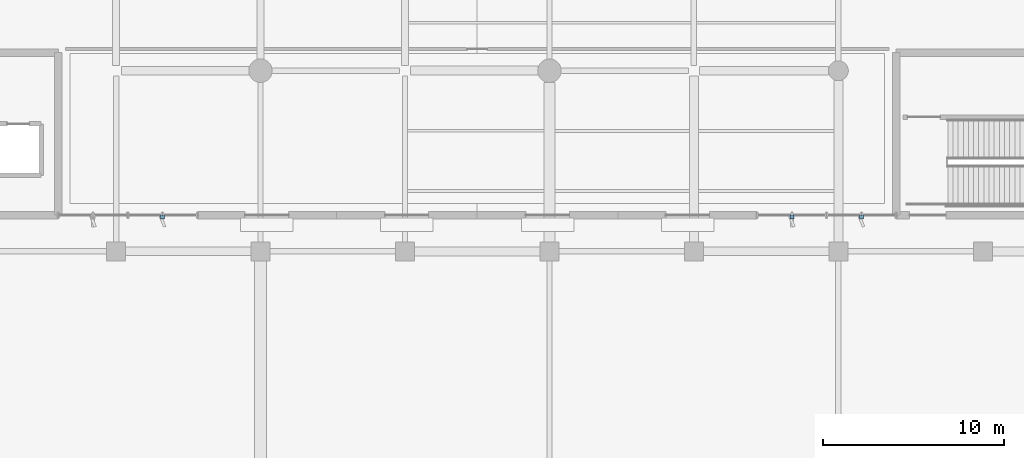
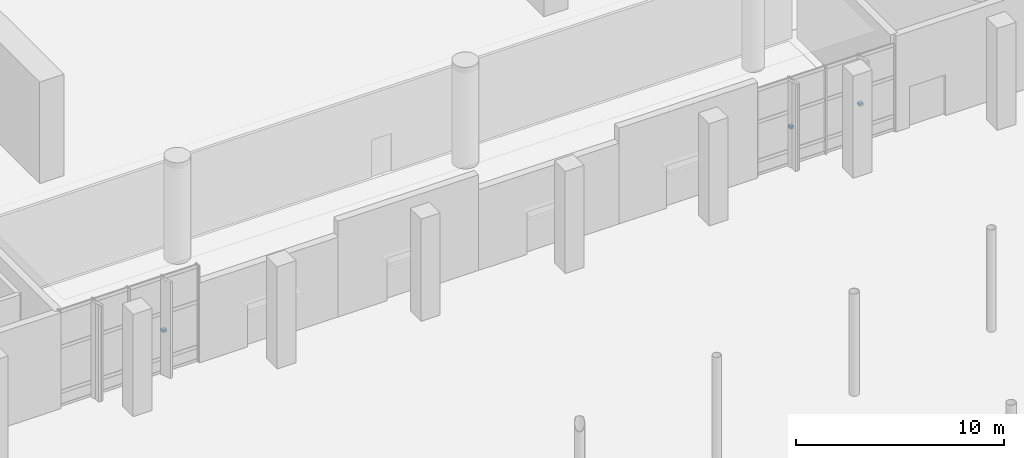
# One storey, part 135 of 163: 3 discrete accessories.
"""IFC4 building model written with IfcOpenShell, lengths in metres."""

from ifc_helpers import new_model, si_unit, direction, frame, origin, origin_2d, place, context, subcontext, project, spatial, rectangle, extrude, material, type_object, element, save


model = new_model("IFC4")

# Units and contexts
model_context = context("Model", 3, precision=1e-05, world=origin(), true_north=direction((0.0, 1.0)))
body_context = subcontext(model_context, "Body", "Model", "MODEL_VIEW")
ifc_project = project(units=[si_unit("LENGTHUNIT", "METRE"), si_unit("AREAUNIT", "SQUARE_METRE"), si_unit("VOLUMEUNIT", "CUBIC_METRE"), si_unit("PLANEANGLEUNIT", "RADIAN"), si_unit("MASSUNIT", "GRAM", prefix="KILO")], contexts=[model_context])

# Site, building, storey
site_placement = place(None, origin())
site = spatial("IfcSite", under=ifc_project, at=site_placement, CompositionType="ELEMENT")
building_placement = place(site_placement, origin())
building = spatial("IfcBuilding", under=site, at=building_placement, Name="Khorjan Park Terminus", CompositionType="ELEMENT")
storey_placement = place(building_placement, origin())
storey = spatial("IfcBuildingStorey", under=building, at=storey_placement, Name="L00", CompositionType="ELEMENT", Elevation=0.0)

# Discrete accessories
ifc_material = material(Name="Steel S355", Category="steel")
discrete_accessory_type = type_object("IfcDiscreteAccessoryType", Name="ACC-BRK-FIN", PredefinedType="BRACKET", material=ifc_material)
for number, where, z_axis, x_axis, name in (
    (1, (74.575, 27.91, 2.459), (0.0, 0.0, 1.0), (1.0, 0.0, 0.0), "Solar fin structural bracket BK-01 (CW-V2-S-L00-02-3)"),
    (2, (109.425, 27.91, 2.2093), (0.0, 0.0, 1.0), (1.0, 0.0, 0.0), "Solar fin structural bracket BK-01 (CW-V2-S-L00-07-1)"),
    (3, (113.275, 27.91, 2.2093), (0.0, 0.0, 1.0), (1.0, 0.0, 0.0), "Solar fin structural bracket BK-01 (CW-V2-S-L00-07-3)"),
):
    element("IfcDiscreteAccessory", number, at=place(storey_placement, frame(where, z_axis=z_axis, x_axis=x_axis)), inside=storey, type_object=discrete_accessory_type, Name=name, PredefinedType="BRACKET", context=body_context, shape_type="SweptSolid", body=[
        extrude(rectangle(XDim=0.22, YDim=0.22, at=origin_2d()), origin(), (0.0, 0.0, 1.0), 0.14),
    ])

save(model, "model.ifc")
